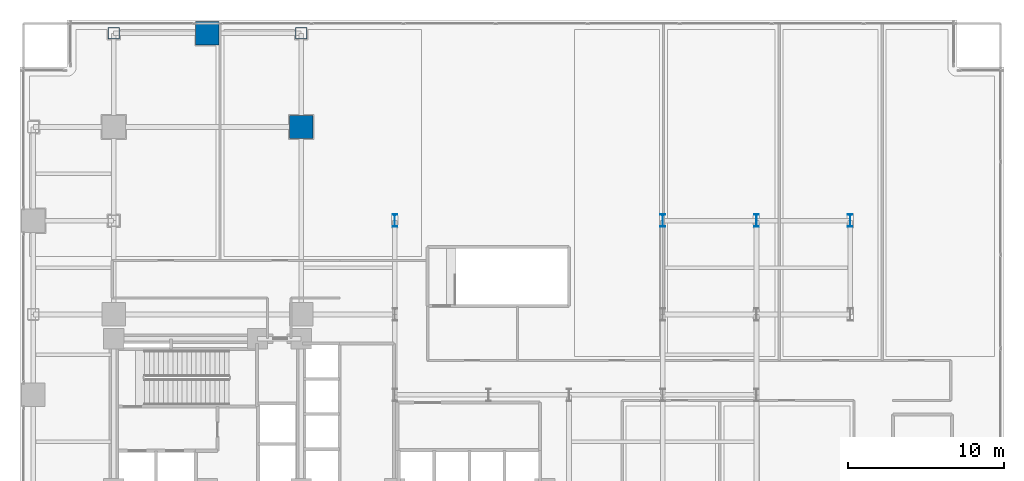
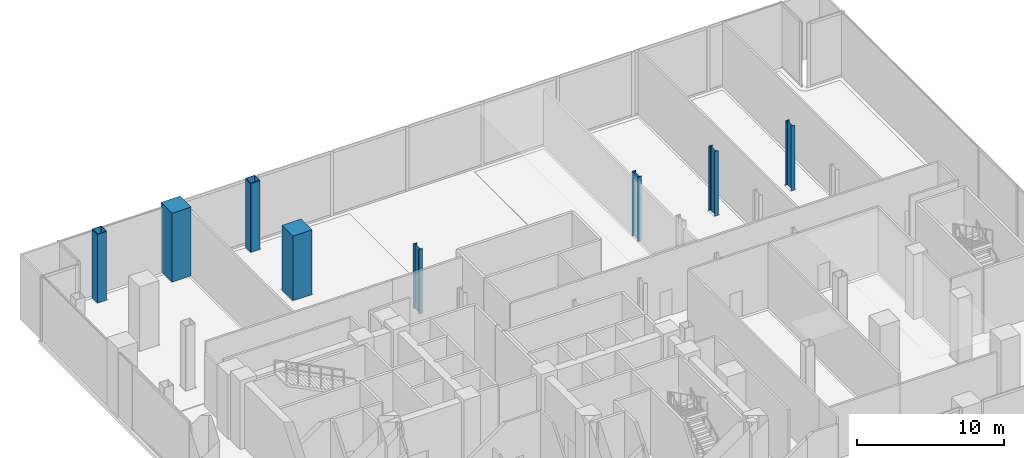
# One storey, part 2 of 27: 8 columns.
"""IFC4 building model written with IfcOpenShell, lengths in metres."""

from ifc_helpers import new_model, si_unit, direction, frame, origin, origin_2d, place, context, subcontext, project, spatial, rectangle, hollow_rectangle, i_section, extrude, material, material_profile, profile_set, type_object, element, save


model = new_model("IFC4")

# Units and contexts
model_context = context("Model", 3, precision=1e-05, world=origin(), true_north=direction((0.0, 1.0)))
body_context = subcontext(model_context, "Body", "Model", "MODEL_VIEW")
ifc_project = project(units=[si_unit("LENGTHUNIT", "METRE"), si_unit("AREAUNIT", "SQUARE_METRE"), si_unit("VOLUMEUNIT", "CUBIC_METRE"), si_unit("PLANEANGLEUNIT", "RADIAN"), si_unit("MASSUNIT", "GRAM", prefix="KILO"), si_unit("THERMODYNAMICTEMPERATUREUNIT", "KELVIN"), si_unit("POWERUNIT", "WATT")], contexts=[model_context])

# Site, building, storey
site_placement = place(None, origin())
site = spatial("IfcSite", under=ifc_project, at=site_placement, CompositionType="ELEMENT")
building_placement = place(site_placement, origin())
building = spatial("IfcBuilding", under=site, at=building_placement, Name="Svarakhadi Broadcast Tower", CompositionType="ELEMENT")
storey_placement = place(building_placement, frame((0.0, 0.0, 21.89990234375)))
storey = spatial("IfcBuildingStorey", under=building, at=storey_placement, Name="L04", CompositionType="ELEMENT", Elevation=21.89990234375)

# Columns
ifc_material_1 = material(Name="Steel S460ML (IS 2062 E450BR)", Category="steel")
ifc_material_profile_1 = material_profile(ifc_material_1, hollow_rectangle(XDim=0.75, YDim=0.75, WallThickness=0.034912109375, InnerFilletRadius=0.034912109375, OuterFilletRadius=0.050048828125, at=origin_2d()), Name="BOX 750x750x35")
ifc_profile_set_1 = profile_set([ifc_material_profile_1], Name="Steel S460ML (IS 2062 E450BR)")
column_type_1 = type_object("IfcColumnType", Name="Col_BOX750", PredefinedType="COLUMN", material=ifc_profile_set_1)
for number, where, z_axis, x_axis, name in (
    (1, (6.0, 47.14990234375, 0.0), (0.0, 0.0, 1.0), (1.0, 0.0, 0.0), "L04 Column G17"),
    (2, (18.0, 47.14990234375, 0.0), (0.0, 0.0, 1.0), (1.0, 0.0, 0.0), "L04 Column G31"),
):
    element("IfcColumn", number, at=place(storey_placement, frame(where, z_axis=z_axis, x_axis=x_axis)), inside=storey, type_object=column_type_1, Name=name, PredefinedType="COLUMN", context=body_context, shape_type="SweptSolid", body=[
        extrude(hollow_rectangle(XDim=0.75, YDim=0.75, WallThickness=0.034912109375, InnerFilletRadius=0.034912109375, OuterFilletRadius=0.050048828125, at=origin_2d()), origin(), (0.0, 0.0, 1.0), 5.7001953125),
    ])
ifc_material_2 = material(Name="Concrete C60/75 (IS 456 M70)", Category="concrete")
ifc_material_profile_2 = material_profile(ifc_material_2, rectangle(XDim=1.5, YDim=1.5, at=origin_2d()), Name="RC 1500x1500")
ifc_profile_set_2 = profile_set([ifc_material_profile_2], Name="Concrete C60/75 (IS 456 M70)")
column_type_2 = type_object("IfcColumnType", Name="Col_RC1500", PredefinedType="COLUMN", material=ifc_profile_set_2)
column_1_placement = place(storey_placement, frame((12.0, 47.14990234375, 0.0), z_axis=(0.0, 0.0, 1.0), x_axis=(1.0, 0.0, 0.0)))
element("IfcColumn", 3, at=column_1_placement, inside=storey, type_object=column_type_2, Name="L04 Column G24", PredefinedType="COLUMN", context=body_context, shape_type="SweptSolid", body=[
    extrude(rectangle(XDim=1.5, YDim=1.5, at=origin_2d()), origin(), (0.0, 0.0, 1.0), 5.7001953125),
])
column_2_placement = place(storey_placement, frame((18.0, 41.14990234375, 0.0), z_axis=(0.0, 0.0, 1.0), x_axis=(1.0, 0.0, 0.0)))
element("IfcColumn", 4, at=column_2_placement, inside=storey, type_object=column_type_2, Name="L04 Column G30", PredefinedType="COLUMN", context=body_context, shape_type="SweptSolid", body=[
    extrude(rectangle(XDim=1.5, YDim=1.5, at=origin_2d()), origin(), (0.0, 0.0, 1.0), 5.35009765625),
])
ifc_material_profile_3 = material_profile(ifc_material_1, i_section(OverallWidth=0.300048828125, OverallDepth=0.800048828125, WebThickness=0.017578125, FlangeThickness=0.032958984375, FilletRadius=0.030029296875, at=origin_2d()), Name="WPB 800x300x262")
ifc_profile_set_3 = profile_set([ifc_material_profile_3], Name="Steel S460ML (IS 2062 E450BR)")
column_type_3 = type_object("IfcColumnType", Name="Col_WPB800", PredefinedType="COLUMN", material=ifc_profile_set_3)
for number, where, z_axis, x_axis, name in (
    (5, (24.0, 35.14990234375, 0.0), (0.0, 0.0, 1.0), (1.0, 0.0, 0.0), "L04 Column G35"),
    (6, (41.14990234375, 35.14990234375, 0.0), (0.0, 0.0, 1.0), (1.0, 0.0, 0.0), "L04 Column G49"),
    (7, (47.14990234375, 35.14990234375, 0.0), (0.0, 0.0, 1.0), (1.0, 0.0, 0.0), "L04 Column G56"),
    (8, (53.14990234375, 35.14990234375, 0.0), (0.0, 0.0, 1.0), (1.0, 0.0, 0.0), "L04 Column G60"),
):
    element("IfcColumn", number, at=place(storey_placement, frame(where, z_axis=z_axis, x_axis=x_axis)), inside=storey, type_object=column_type_3, Name=name, PredefinedType="COLUMN", context=body_context, shape_type="SweptSolid", body=[
        extrude(i_section(OverallWidth=0.300048828125, OverallDepth=0.800048828125, WebThickness=0.017578125, FlangeThickness=0.032958984375, FilletRadius=0.030029296875, at=origin_2d()), origin(), (0.0, 0.0, 1.0), 5.35009765625),
    ])

save(model, "model.ifc")
